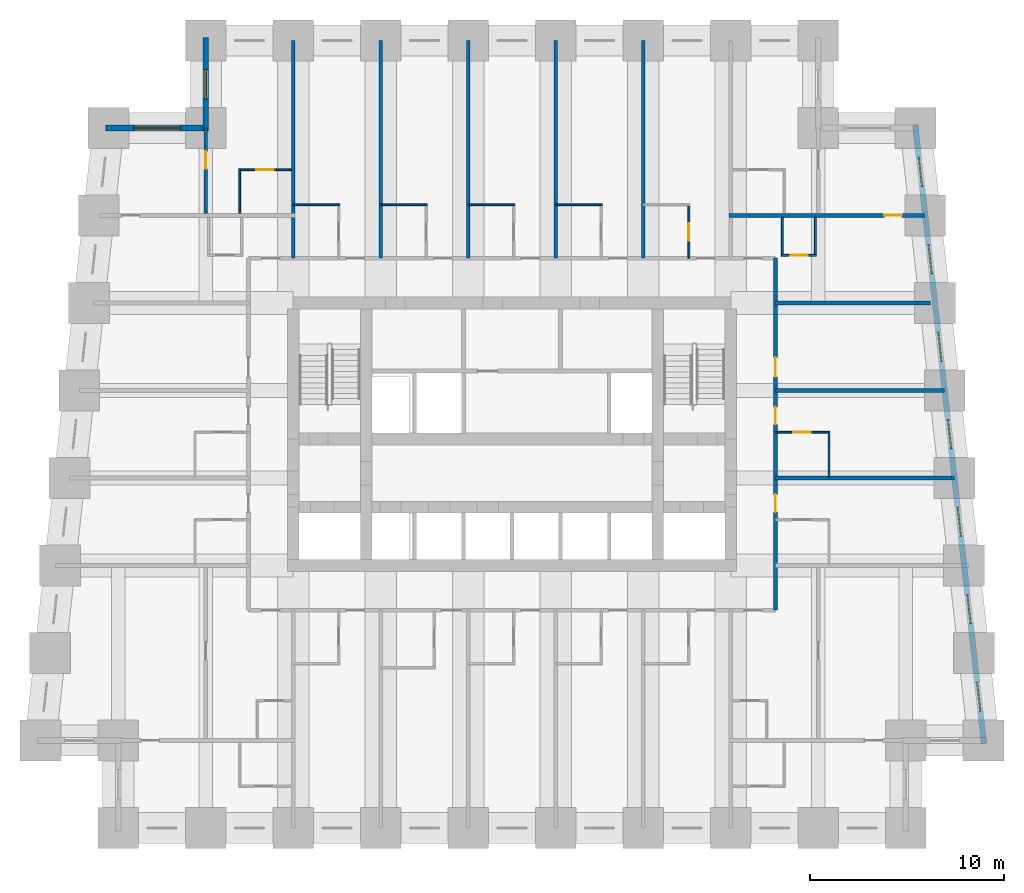
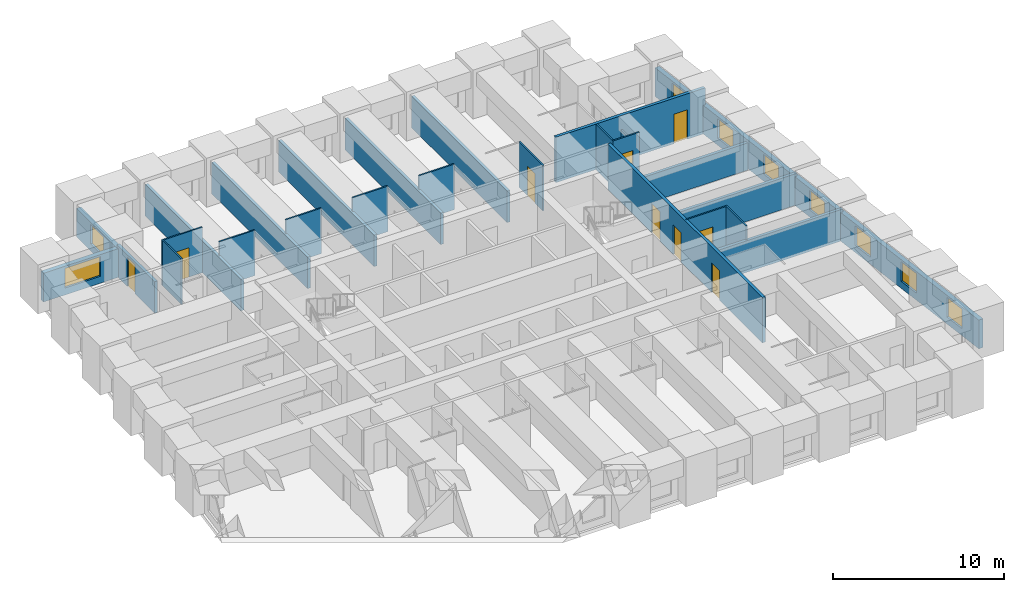
# One storey, part 6 of 8: 26 walls, 9 doors, 9 windows, 18 openings.
"""IFC4 building model written with IfcOpenShell, lengths in metres."""

from ifc_helpers import new_model, si_unit, direction, frame, frame_2d, origin, place, context, subcontext, project, spatial, rectangle, extrude, material, layer, layer_set, type_object, element, fill, save


model = new_model("IFC4")

# Units and contexts
model_context = context("Model", 3, precision=1e-05, world=origin(), true_north=direction((0.0, 1.0)))
body_context = subcontext(model_context, "Body", "Model", "MODEL_VIEW")
ifc_project = project(units=[si_unit("LENGTHUNIT", "METRE"), si_unit("AREAUNIT", "SQUARE_METRE"), si_unit("VOLUMEUNIT", "CUBIC_METRE"), si_unit("PLANEANGLEUNIT", "RADIAN"), si_unit("MASSUNIT", "GRAM", prefix="KILO")], contexts=[model_context])

# Site, building, storey
site_placement = place(None, origin())
site = spatial("IfcSite", under=ifc_project, at=site_placement, CompositionType="ELEMENT")
building_placement = place(site_placement, origin())
building = spatial("IfcBuilding", under=site, at=building_placement, Name="Kilele Tower Hotel", CompositionType="ELEMENT")
storey_placement = place(building_placement, frame((0.0, 0.0, 33.199951171875)))
storey = spatial("IfcBuildingStorey", under=building, at=storey_placement, Name="L06", CompositionType="ELEMENT", Elevation=33.199951171875)

# Wall
ifc_material_1 = material(Name="Moisture-resistant board")
ifc_layer_1 = layer(ifc_material_1, 0.10009765625)
ifc_layer_set_1 = layer_set([ifc_layer_1], Name="Moisture-resistant board")
wall_type_1 = type_object("IfcWallType", Name="Bathroom partition 100", PredefinedType="PLUMBINGWALL", material=ifc_layer_set_1)
wall_1_placement = place(storey_placement, frame((41.050048828125, 18.0, 0.0), z_axis=(0.0, 0.0, 1.0), x_axis=(0.0, 1.0, 0.0)))
element("IfcWall", 1, at=wall_1_placement, inside=storey, type_object=wall_type_1, Name="Bathroom partition 100 L06", PredefinedType="PLUMBINGWALL", context=body_context, shape_type="SweptSolid", body=[
    extrude(rectangle(XDim=2.39990234375, YDim=0.10009765625, at=frame_2d((1.199951171875, 0.0))), origin(), (0.0, 0.0, 1.0), 3.25),
])

# Wall, opening, door
wall_2_placement = place(storey_placement, frame((38.300048828125, 20.35009765625, 0.0), z_axis=(0.0, 0.0, 1.0), x_axis=(1.0, 0.0, 0.0)))
wall_2 = element("IfcWall", 2, at=wall_2_placement, inside=storey, type_object=wall_type_1, Name="Bathroom partition 100 L06", PredefinedType="PLUMBINGWALL", context=body_context, shape_type="SweptSolid", body=[
    extrude(rectangle(XDim=2.800048828125, YDim=0.10009765625, at=frame_2d((1.39990234375, 0.0))), origin(), (0.0, 0.0, 1.0), 3.25),
])
opening_1_placement = place(wall_2_placement, frame((0.89990234375, 0.0, 0.0)))
opening_1 = element("IfcOpeningElement", 3, at=opening_1_placement, cuts=wall_2, Name="Opening D2A", PredefinedType="OPENING", context=body_context, shape_type="SweptSolid", body=[
    extrude(rectangle(XDim=0.89990234375, YDim=2.10009765625, at=frame_2d((0.449951171875, 1.050048828125))), frame((0.0, 0.06005859375, 0.0), z_axis=(0.0, -1.0, 0.0), x_axis=(1.0, 0.0, 0.0)), (0.0, 0.0, 1.0), 0.1201171875),
])
ifc_material_2 = material(Name="Timber door leaf in hardwood frame", Category="wood")
door_type_1 = type_object("IfcDoorType", Name="Bathroom door 900", OperationType="SINGLE_SWING_LEFT", PredefinedType="DOOR", material=ifc_material_2)
door_1_placement = place(opening_1_placement, origin())
door_1 = element("IfcDoor", 4, at=door_1_placement, inside=storey, type_object=door_type_1, Name="Bathroom door 0607B", OperationType="SINGLE_SWING_LEFT", OverallHeight=2.10009765625, OverallWidth=0.89990234375, PredefinedType="DOOR", context=body_context, shape_type="SweptSolid", body=[
    extrude(rectangle(XDim=0.89990234375, YDim=2.10009765625, at=frame_2d((0.449951171875, 1.050048828125))), frame((0.0, 0.02490234375, 0.0), z_axis=(0.0, -1.0, 0.0), x_axis=(1.0, 0.0, 0.0)), (0.0, 0.0, 1.0), 0.050048828125),
])
fill(opening_1, door_1)

# Walls
for number, where, z_axis, x_axis, name in (
    (5, (13.5, 32.050048828125, 0.0), (0.0, 0.0, 1.0), (1.0, 0.0, 0.0), "Bathroom partition 100 L06"),
    (6, (18.0, 32.050048828125, 0.0), (0.0, 0.0, 1.0), (1.0, 0.0, 0.0), "Bathroom partition 100 L06"),
    (7, (22.5, 32.050048828125, 0.0), (0.0, 0.0, 1.0), (1.0, 0.0, 0.0), "Bathroom partition 100 L06"),
    (8, (27.0, 32.050048828125, 0.0), (0.0, 0.0, 1.0), (1.0, 0.0, 0.0), "Bathroom partition 100 L06"),
):
    element("IfcWall", number, at=place(storey_placement, frame(where, z_axis=z_axis, x_axis=x_axis)), inside=storey, type_object=wall_type_1, Name=name, PredefinedType="PLUMBINGWALL", context=body_context, shape_type="SweptSolid", body=[
        extrude(rectangle(XDim=2.39990234375, YDim=0.10009765625, at=frame_2d((1.199951171875, 0.0))), origin(), (0.0, 0.0, 1.0), 3.25),
    ])

# Wall, opening, door
wall_3_placement = place(storey_placement, frame((33.85009765625, 29.300048828125, 0.0), z_axis=(0.0, 0.0, 1.0), x_axis=(0.0, 1.0, 0.0)))
wall_3 = element("IfcWall", 9, at=wall_3_placement, inside=storey, type_object=wall_type_1, Name="Bathroom partition 100 L06", PredefinedType="PLUMBINGWALL", context=body_context, shape_type="SweptSolid", body=[
    extrude(rectangle(XDim=2.800048828125, YDim=0.10009765625, at=frame_2d((1.39990234375, 0.0))), origin(), (0.0, 0.0, 1.0), 3.25),
])
opening_2_placement = place(wall_3_placement, frame((1.7998046875, 0.0, 0.0), z_axis=(0.0, 0.0, 1.0), x_axis=(-1.0, 0.0, 0.0)))
opening_2 = element("IfcOpeningElement", 10, at=opening_2_placement, cuts=wall_3, Name="Opening D2A", PredefinedType="OPENING", context=body_context, shape_type="SweptSolid", body=[
    extrude(rectangle(XDim=0.89990234375, YDim=2.10009765625, at=frame_2d((0.449951171875, 1.050048828125))), frame((0.0, 0.06005859375, 0.0), z_axis=(0.0, -1.0, 0.0), x_axis=(1.0, 0.0, 0.0)), (0.0, 0.0, 1.0), 0.1201171875),
])
door_2_placement = place(opening_2_placement, origin())
door_2 = element("IfcDoor", 11, at=door_2_placement, inside=storey, type_object=door_type_1, Name="Bathroom door 0613B", OperationType="SINGLE_SWING_RIGHT", OverallHeight=2.10009765625, OverallWidth=0.89990234375, PredefinedType="DOOR", context=body_context, shape_type="SweptSolid", body=[
    extrude(rectangle(XDim=0.89990234375, YDim=2.10009765625, at=frame_2d((0.449951171875, 1.050048828125))), frame((0.0, 0.02490234375, 0.0), z_axis=(0.0, -1.0, 0.0), x_axis=(1.0, 0.0, 0.0)), (0.0, 0.0, 1.0), 0.050048828125),
])
fill(opening_2, door_2)

# Walls
wall_4_placement = place(storey_placement, frame((40.35009765625, 31.39990234375, 0.0), z_axis=(0.0, 0.0, 1.0), x_axis=(0.0, -1.0, 0.0)))
element("IfcWall", 12, at=wall_4_placement, inside=storey, type_object=wall_type_1, Name="Bathroom partition 100 L06", PredefinedType="PLUMBINGWALL", context=body_context, shape_type="SweptSolid", body=[
    extrude(rectangle(XDim=2.0, YDim=0.10009765625, at=frame_2d((1.0, 0.0))), origin(), (0.0, 0.0, 1.0), 2.25),
])
wall_5_placement = place(storey_placement, frame((38.64990234375, 31.39990234375, 0.0), z_axis=(0.0, 0.0, 1.0), x_axis=(0.0, -1.0, 0.0)))
element("IfcWall", 13, at=wall_5_placement, inside=storey, type_object=wall_type_1, Name="Bathroom partition 100 L06", PredefinedType="PLUMBINGWALL", context=body_context, shape_type="SweptSolid", body=[
    extrude(rectangle(XDim=2.0, YDim=0.10009765625, at=frame_2d((1.0, 0.0))), origin(), (0.0, 0.0, 1.0), 3.25),
])

# Wall, opening, door
wall_6_placement = place(storey_placement, frame((38.60009765625, 29.449951171875, 0.0), z_axis=(0.0, 0.0, 1.0), x_axis=(1.0, 0.0, 0.0)))
wall_6 = element("IfcWall", 14, at=wall_6_placement, inside=storey, type_object=wall_type_1, Name="Bathroom partition 100 L06", PredefinedType="PLUMBINGWALL", context=body_context, shape_type="SweptSolid", body=[
    extrude(rectangle(XDim=1.7998046875, YDim=0.10009765625, at=frame_2d((0.89990234375, 0.0))), origin(), (0.0, 0.0, 1.0), 3.25),
])
opening_3_placement = place(wall_6_placement, frame((1.349853515625, 0.0, 0.0), z_axis=(0.0, 0.0, 1.0), x_axis=(-1.0, 0.0, 0.0)))
opening_3 = element("IfcOpeningElement", 15, at=opening_3_placement, cuts=wall_6, Name="Opening D2A", PredefinedType="OPENING", context=body_context, shape_type="SweptSolid", body=[
    extrude(rectangle(XDim=0.89990234375, YDim=2.10009765625, at=frame_2d((0.449951171875, 1.050048828125))), frame((0.0, 0.06005859375, 0.0), z_axis=(0.0, -1.0, 0.0), x_axis=(1.0, 0.0, 0.0)), (0.0, 0.0, 1.0), 0.1201171875),
])
door_3_placement = place(opening_3_placement, origin())
door_3 = element("IfcDoor", 16, at=door_3_placement, inside=storey, type_object=door_type_1, Name="Bathroom door 0623P", OperationType="SINGLE_SWING_RIGHT", OverallHeight=2.10009765625, OverallWidth=0.89990234375, PredefinedType="DOOR", context=body_context, shape_type="SweptSolid", body=[
    extrude(rectangle(XDim=0.89990234375, YDim=2.10009765625, at=frame_2d((0.449951171875, 1.050048828125))), frame((0.0, 0.02490234375, 0.0), z_axis=(0.0, -1.0, 0.0), x_axis=(1.0, 0.0, 0.0)), (0.0, 0.0, 1.0), 0.050048828125),
])
fill(opening_3, door_3)

# Wall
wall_7_placement = place(storey_placement, frame((10.75, 31.60009765625, 0.0), z_axis=(0.0, 0.0, 1.0), x_axis=(0.0, 1.0, 0.0)))
element("IfcWall", 17, at=wall_7_placement, inside=storey, type_object=wall_type_1, Name="Bathroom partition 100 L06", PredefinedType="PLUMBINGWALL", context=body_context, shape_type="SweptSolid", body=[
    extrude(rectangle(XDim=2.2998046875, YDim=0.10009765625, at=frame_2d((1.14990234375, 0.0))), origin(), (0.0, 0.0, 1.0), 3.25),
])

# Wall, opening, door
wall_8_placement = place(storey_placement, frame((13.39990234375, 33.85009765625, 0.0), z_axis=(0.0, 0.0, 1.0), x_axis=(-1.0, 0.0, 0.0)))
wall_8 = element("IfcWall", 18, at=wall_8_placement, inside=storey, type_object=wall_type_1, Name="Bathroom partition 100 L06", PredefinedType="PLUMBINGWALL", context=body_context, shape_type="SweptSolid", body=[
    extrude(rectangle(XDim=2.699951171875, YDim=0.10009765625, at=frame_2d((1.35009765625, 0.0))), origin(), (0.0, 0.0, 1.0), 3.25),
])
opening_4_placement = place(wall_8_placement, frame((1.7998046875, 0.0, 0.0), z_axis=(0.0, 0.0, 1.0), x_axis=(-1.0, 0.0, 0.0)))
opening_4 = element("IfcOpeningElement", 19, at=opening_4_placement, cuts=wall_8, Name="Opening D2A", PredefinedType="OPENING", context=body_context, shape_type="SweptSolid", body=[
    extrude(rectangle(XDim=0.89990234375, YDim=2.10009765625, at=frame_2d((0.449951171875, 1.050048828125))), frame((0.0, 0.06005859375, 0.0), z_axis=(0.0, -1.0, 0.0), x_axis=(1.0, 0.0, 0.0)), (0.0, 0.0, 1.0), 0.1201171875),
])
door_4_placement = place(opening_4_placement, origin())
door_4 = element("IfcDoor", 20, at=door_4_placement, inside=storey, type_object=door_type_1, Name="Bathroom door 0627B", OperationType="SINGLE_SWING_RIGHT", OverallHeight=2.10009765625, OverallWidth=0.89990234375, PredefinedType="DOOR", context=body_context, shape_type="SweptSolid", body=[
    extrude(rectangle(XDim=0.89990234375, YDim=2.10009765625, at=frame_2d((0.449951171875, 1.050048828125))), frame((0.0, 0.02490234375, 0.0), z_axis=(0.0, -1.0, 0.0), x_axis=(1.0, 0.0, 0.0)), (0.0, 0.0, 1.0), 0.050048828125),
])
fill(opening_4, door_4)

# Wall, openings, doors
ifc_material_3 = material(Name="Blockwork, plastered both sides", Category="masonry")
ifc_layer_2 = layer(ifc_material_3, 0.199951171875)
ifc_layer_set_2 = layer_set([ifc_layer_2], Name="Blockwork, plastered both sides")
wall_type_2 = type_object("IfcWallType", Name="Corridor wall 200", PredefinedType="PARTITIONING", material=ifc_layer_set_2)
wall_9_placement = place(storey_placement, frame((38.300048828125, 11.199951171875, 0.0), z_axis=(0.0, 0.0, 1.0), x_axis=(0.0, 1.0, 0.0)))
wall_9 = element("IfcWall", 21, at=wall_9_placement, inside=storey, type_object=wall_type_2, Name="Corridor wall 200 L06", PredefinedType="PARTITIONING", context=body_context, shape_type="SweptSolid", body=[
    extrude(rectangle(XDim=18.10009765625, YDim=0.199951171875, at=frame_2d((9.050048828125, 0.0))), origin(), (0.0, 0.0, 1.0), 3.25),
])
opening_5_placement = place(wall_9_placement, frame((5.949951171875, 0.0, 0.0), z_axis=(0.0, 0.0, 1.0), x_axis=(-1.0, 0.0, 0.0)))
opening_5 = element("IfcOpeningElement", 22, at=opening_5_placement, cuts=wall_9, Name="Opening D1", PredefinedType="OPENING", context=body_context, shape_type="SweptSolid", body=[
    extrude(rectangle(XDim=0.89990234375, YDim=2.10009765625, at=frame_2d((0.449951171875, 1.050048828125))), frame((0.0, 0.10986328125, 0.0), z_axis=(0.0, -1.0, 0.0), x_axis=(1.0, 0.0, 0.0)), (0.0, 0.0, 1.0), 0.219970703125),
])
opening_6_placement = place(wall_9_placement, frame((10.449951171875, 0.0, 0.0), z_axis=(0.0, 0.0, 1.0), x_axis=(-1.0, 0.0, 0.0)))
opening_6 = element("IfcOpeningElement", 23, at=opening_6_placement, cuts=wall_9, Name="Opening D1", PredefinedType="OPENING", context=body_context, shape_type="SweptSolid", body=[
    extrude(rectangle(XDim=0.89990234375, YDim=2.10009765625, at=frame_2d((0.449951171875, 1.050048828125))), frame((0.0, 0.10986328125, 0.0), z_axis=(0.0, -1.0, 0.0), x_axis=(1.0, 0.0, 0.0)), (0.0, 0.0, 1.0), 0.219970703125),
])
opening_7_placement = place(wall_9_placement, frame((13.0, 0.0, 0.0), z_axis=(0.0, 0.0, 1.0), x_axis=(-1.0, 0.0, 0.0)))
opening_7 = element("IfcOpeningElement", 24, at=opening_7_placement, cuts=wall_9, Name="Opening D8", PredefinedType="OPENING", context=body_context, shape_type="SweptSolid", body=[
    extrude(rectangle(XDim=1.0, YDim=2.10009765625, at=frame_2d((0.5, 1.050048828125))), frame((0.0, 0.10986328125, 0.0), z_axis=(0.0, -1.0, 0.0), x_axis=(1.0, 0.0, 0.0)), (0.0, 0.0, 1.0), 0.219970703125),
])
ifc_material_4 = material(Name="Timber door leaf in hardwood frame", Category="wood")
door_type_2 = type_object("IfcDoorType", Name="Door 1000", OperationType="SINGLE_SWING_LEFT", PredefinedType="DOOR", material=ifc_material_4)
door_5_placement = place(opening_7_placement, origin())
door_5 = element("IfcDoor", 25, at=door_5_placement, inside=storey, type_object=door_type_2, Name="Room entrance 0608", OperationType="SINGLE_SWING_RIGHT", OverallHeight=2.10009765625, OverallWidth=1.0, PredefinedType="DOOR", context=body_context, shape_type="SweptSolid", body=[
    extrude(rectangle(XDim=1.0, YDim=2.10009765625, at=frame_2d((0.5, 1.050048828125))), frame((0.0, 0.02490234375, 0.0), z_axis=(0.0, -1.0, 0.0), x_axis=(1.0, 0.0, 0.0)), (0.0, 0.0, 1.0), 0.050048828125),
])
fill(opening_7, door_5)
ifc_material_5 = material(Name="Timber door leaf in hardwood frame", Category="wood")
door_type_3 = type_object("IfcDoorType", Name="Guest room entrance door 900", OperationType="SINGLE_SWING_LEFT", PredefinedType="DOOR", material=ifc_material_5)
door_6_placement = place(opening_5_placement, origin())
door_6 = element("IfcDoor", 26, at=door_6_placement, inside=storey, type_object=door_type_3, Name="Room entrance 0606", OperationType="SINGLE_SWING_RIGHT", OverallHeight=2.10009765625, OverallWidth=0.89990234375, PredefinedType="DOOR", context=body_context, shape_type="SweptSolid", body=[
    extrude(rectangle(XDim=0.89990234375, YDim=2.10009765625, at=frame_2d((0.449951171875, 1.050048828125))), frame((0.0, 0.02490234375, 0.0), z_axis=(0.0, -1.0, 0.0), x_axis=(1.0, 0.0, 0.0)), (0.0, 0.0, 1.0), 0.050048828125),
])
fill(opening_5, door_6)
door_7_placement = place(opening_6_placement, origin())
door_7 = element("IfcDoor", 27, at=door_7_placement, inside=storey, type_object=door_type_3, Name="Room entrance 0607", OperationType="SINGLE_SWING_RIGHT", OverallHeight=2.10009765625, OverallWidth=0.89990234375, PredefinedType="DOOR", context=body_context, shape_type="SweptSolid", body=[
    extrude(rectangle(XDim=0.89990234375, YDim=2.10009765625, at=frame_2d((0.449951171875, 1.050048828125))), frame((0.0, 0.02490234375, 0.0), z_axis=(0.0, -1.0, 0.0), x_axis=(1.0, 0.0, 0.0)), (0.0, 0.0, 1.0), 0.050048828125),
])
fill(opening_6, door_7)

# Wall, opening, door
ifc_material_6 = material(Name="Blockwork, plastered both sides", Category="masonry")
ifc_layer_3 = layer(ifc_material_6, 0.199951171875)
ifc_layer_set_3 = layer_set([ifc_layer_3], Name="Blockwork, plastered both sides")
wall_type_3 = type_object("IfcWallType", Name="Partition wall 200", PredefinedType="PARTITIONING", material=ifc_layer_set_3)
wall_10_placement = place(storey_placement, frame((9.0, 31.60009765625, 0.0), z_axis=(0.0, 0.0, 1.0), x_axis=(0.0, 1.0, 0.0)))
wall_10 = element("IfcWall", 28, at=wall_10_placement, inside=storey, type_object=wall_type_3, Name="Partition wall 200 L06", PredefinedType="PARTITIONING", context=body_context, shape_type="SweptSolid", body=[
    extrude(rectangle(XDim=4.39990234375, YDim=0.199951171875, at=frame_2d((2.199951171875, 0.0))), origin(), (0.0, 0.0, 1.0), 2.25),
])
opening_8_placement = place(wall_10_placement, frame((2.300048828125, 0.0, 0.0)))
opening_8 = element("IfcOpeningElement", 29, at=opening_8_placement, cuts=wall_10, Name="Opening D3", PredefinedType="OPENING", context=body_context, shape_type="SweptSolid", body=[
    extrude(rectangle(XDim=0.89990234375, YDim=2.10009765625, at=frame_2d((0.449951171875, 1.050048828125))), frame((0.0, 0.10986328125, 0.0), z_axis=(0.0, -1.0, 0.0), x_axis=(1.0, 0.0, 0.0)), (0.0, 0.0, 1.0), 0.219970703125),
])
ifc_material_7 = material(Name="Timber door leaf in hardwood frame", Category="wood")
door_type_4 = type_object("IfcDoorType", Name="Suite internal door 900", OperationType="SINGLE_SWING_LEFT", PredefinedType="DOOR", material=ifc_material_7)
door_8_placement = place(opening_8_placement, origin())
door_8 = element("IfcDoor", 30, at=door_8_placement, inside=storey, type_object=door_type_4, Name="Suite door 0628", OperationType="SINGLE_SWING_RIGHT", OverallHeight=2.10009765625, OverallWidth=0.89990234375, PredefinedType="DOOR", context=body_context, shape_type="SweptSolid", body=[
    extrude(rectangle(XDim=0.89990234375, YDim=2.10009765625, at=frame_2d((0.449951171875, 1.050048828125))), frame((0.0, 0.02490234375, 0.0), z_axis=(0.0, -1.0, 0.0), x_axis=(1.0, 0.0, 0.0)), (0.0, 0.0, 1.0), 0.050048828125),
])
fill(opening_8, door_8)

# Walls
ifc_material_8 = material(Name="Blockwork, plastered both sides", Category="masonry")
ifc_layer_4 = layer(ifc_material_8, 0.199951171875)
ifc_layer_set_4 = layer_set([ifc_layer_4], Name="Blockwork, plastered both sides")
wall_type_4 = type_object("IfcWallType", Name="Party wall 200", PredefinedType="PARTITIONING", material=ifc_layer_set_4)
wall_11_placement = place(storey_placement, frame((38.300048828125, 18.0, 0.0), z_axis=(0.0, 0.0, 1.0), x_axis=(1.0, 0.0, 0.0)))
element("IfcWall", 31, at=wall_11_placement, inside=storey, type_object=wall_type_4, Name="Party wall 200 L06", PredefinedType="PARTITIONING", context=body_context, shape_type="SweptSolid", body=[
    extrude(rectangle(XDim=9.198974609375, YDim=0.199951171875, at=frame_2d((4.599609375, 0.0))), origin(), (0.0, 0.0, 1.0), 2.25),
])
wall_12_placement = place(storey_placement, frame((38.300048828125, 22.5, 0.0), z_axis=(0.0, 0.0, 1.0), x_axis=(1.0, 0.0, 0.0)))
element("IfcWall", 32, at=wall_12_placement, inside=storey, type_object=wall_type_4, Name="Party wall 200 L06", PredefinedType="PARTITIONING", context=body_context, shape_type="SweptSolid", body=[
    extrude(rectangle(XDim=8.698974609375, YDim=0.199951171875, at=frame_2d((4.349609375, 0.0))), origin(), (0.0, 0.0, 1.0), 2.25),
])
for number, where, z_axis, x_axis, name in (
    (33, (18.0, 29.300048828125, 0.0), (0.0, 0.0, 1.0), (0.0, 1.0, 0.0), "Party wall 200 L06"),
    (34, (22.5, 29.300048828125, 0.0), (0.0, 0.0, 1.0), (0.0, 1.0, 0.0), "Party wall 200 L06"),
    (35, (27.0, 29.300048828125, 0.0), (0.0, 0.0, 1.0), (0.0, 1.0, 0.0), "Party wall 200 L06"),
    (36, (31.5, 29.300048828125, 0.0), (0.0, 0.0, 1.0), (0.0, 1.0, 0.0), "Party wall 200 L06"),
):
    element("IfcWall", number, at=place(storey_placement, frame(where, z_axis=z_axis, x_axis=x_axis)), inside=storey, type_object=wall_type_4, Name=name, PredefinedType="PARTITIONING", context=body_context, shape_type="SweptSolid", body=[
        extrude(rectangle(XDim=11.199951171875, YDim=0.199951171875, at=frame_2d((5.60009765625, 0.0))), origin(), (0.0, 0.0, 1.0), 2.25),
    ])
wall_13_placement = place(storey_placement, frame((38.300048828125, 27.0, 0.0), z_axis=(0.0, 0.0, 1.0), x_axis=(1.0, 0.0, 0.0)))
element("IfcWall", 37, at=wall_13_placement, inside=storey, type_object=wall_type_4, Name="Party wall 200 L06", PredefinedType="PARTITIONING", context=body_context, shape_type="SweptSolid", body=[
    extrude(rectangle(XDim=7.976806640625, YDim=0.199951171875, at=frame_2d((3.98828125, 0.0))), origin(), (0.0, 0.0, 1.0), 1.949951171875),
])

# Wall, opening, door
wall_14_placement = place(storey_placement, frame((35.89990234375, 31.5, 0.0), z_axis=(0.0, 0.0, 1.0), x_axis=(1.0, 0.0, 0.0)))
wall_14 = element("IfcWall", 38, at=wall_14_placement, inside=storey, type_object=wall_type_4, Name="Party wall 200 L06", PredefinedType="PARTITIONING", context=body_context, shape_type="SweptSolid", body=[
    extrude(rectangle(XDim=10.09912109375, YDim=0.199951171875, at=frame_2d((5.049560546875, 0.0))), origin(), (0.0, 0.0, 1.0), 3.25),
])
opening_9_placement = place(wall_14_placement, frame((7.9990234375, 0.0, 0.0)))
opening_9 = element("IfcOpeningElement", 39, at=opening_9_placement, cuts=wall_14, Name="Opening D3", PredefinedType="OPENING", context=body_context, shape_type="SweptSolid", body=[
    extrude(rectangle(XDim=0.89990234375, YDim=2.10009765625, at=frame_2d((0.449951171875, 1.050048828125))), frame((0.0, 0.10986328125, 0.0), z_axis=(0.0, -1.0, 0.0), x_axis=(1.0, 0.0, 0.0)), (0.0, 0.0, 1.0), 0.219970703125),
])
door_9_placement = place(opening_9_placement, origin())
door_9 = element("IfcDoor", 40, at=door_9_placement, inside=storey, type_object=door_type_4, Name="Suite door 0624", OperationType="SINGLE_SWING_RIGHT", OverallHeight=2.10009765625, OverallWidth=0.89990234375, PredefinedType="DOOR", context=body_context, shape_type="SweptSolid", body=[
    extrude(rectangle(XDim=0.89990234375, YDim=2.10009765625, at=frame_2d((0.449951171875, 1.050048828125))), frame((0.0, 0.02490234375, 0.0), z_axis=(0.0, -1.0, 0.0), x_axis=(1.0, 0.0, 0.0)), (0.0, 0.0, 1.0), 0.050048828125),
])
fill(opening_9, door_9)

# Wall
wall_15_placement = place(storey_placement, frame((13.5, 29.300048828125, 0.0), z_axis=(0.0, 0.0, 1.0), x_axis=(0.0, 1.0, 0.0)))
element("IfcWall", 41, at=wall_15_placement, inside=storey, type_object=wall_type_4, Name="Party wall 200 L06", PredefinedType="PARTITIONING", context=body_context, shape_type="SweptSolid", body=[
    extrude(rectangle(XDim=11.199951171875, YDim=0.199951171875, at=frame_2d((5.60009765625, 0.0))), origin(), (0.0, 0.0, 1.0), 2.25),
])

# Wall, openings, windows
ifc_material_9 = material(Name="Concrete C40/50 precast", Category="concrete")
ifc_layer_5 = layer(ifc_material_9, 0.260009765625, Name="Precast backing", Category="LoadBearing")
ifc_material_10 = material(Name="Reconstituted stone finish", Category="masonry")
ifc_layer_6 = layer(ifc_material_10, 0.0400390625, Name="Face mix", Category="Finish")
ifc_layer_set_5 = layer_set([ifc_layer_5, ifc_layer_6], Name="Precast concrete C40/50, reconstituted stone finish")
wall_type_5 = type_object("IfcWallType", Name="Precast stone facade wall 300", PredefinedType="STANDARD", material=ifc_layer_set_5)
wall_16_placement = place(storey_placement, frame((49.0166015625, 4.350830078125, 0.0), z_axis=(0.0, 0.0, 1.0), x_axis=(-0.110433201132, 0.993883548555, 0.0)))
wall_16 = element("IfcWall", 42, at=wall_16_placement, inside=storey, type_object=wall_type_5, Name="Facade wall L06 edge 6", PredefinedType="STANDARD", context=body_context, shape_type="SweptSolid", body=[
    extrude(rectangle(XDim=31.994140625, YDim=0.300048828125, at=frame_2d((15.9970703125, 0.0))), origin(), (0.0, 0.0, 1.0), 2.050048828125),
])
opening_10_placement = place(wall_16_placement, frame((1.6640625, 0.0, 0.5)))
opening_10 = element("IfcOpeningElement", 43, at=opening_10_placement, cuts=wall_16, Name="Opening W1", PredefinedType="OPENING", context=body_context, shape_type="SweptSolid", body=[
    extrude(rectangle(XDim=1.5, YDim=1.39990234375, at=frame_2d((0.75, 0.699951171875))), frame((0.0, 0.159912109375, 0.0), z_axis=(0.0, -1.0, 0.0), x_axis=(1.0, 0.0, 0.0)), (0.0, 0.0, 1.0), 0.320068359375),
])
opening_11_placement = place(wall_16_placement, frame((6.19189453125, 0.0, 0.5)))
opening_11 = element("IfcOpeningElement", 44, at=opening_11_placement, cuts=wall_16, Name="Opening W1", PredefinedType="OPENING", context=body_context, shape_type="SweptSolid", body=[
    extrude(rectangle(XDim=1.5, YDim=1.39990234375, at=frame_2d((0.75, 0.699951171875))), frame((0.0, 0.159912109375, 0.0), z_axis=(0.0, -1.0, 0.0), x_axis=(1.0, 0.0, 0.0)), (0.0, 0.0, 1.0), 0.320068359375),
])
opening_12_placement = place(wall_16_placement, frame((10.718994140625, 0.0, 0.5)))
opening_12 = element("IfcOpeningElement", 45, at=opening_12_placement, cuts=wall_16, Name="Opening W1", PredefinedType="OPENING", context=body_context, shape_type="SweptSolid", body=[
    extrude(rectangle(XDim=1.5, YDim=1.39990234375, at=frame_2d((0.75, 0.699951171875))), frame((0.0, 0.159912109375, 0.0), z_axis=(0.0, -1.0, 0.0), x_axis=(1.0, 0.0, 0.0)), (0.0, 0.0, 1.0), 0.320068359375),
])
opening_13_placement = place(wall_16_placement, frame((15.2470703125, 0.0, 0.5)))
opening_13 = element("IfcOpeningElement", 46, at=opening_13_placement, cuts=wall_16, Name="Opening W1", PredefinedType="OPENING", context=body_context, shape_type="SweptSolid", body=[
    extrude(rectangle(XDim=1.5, YDim=1.39990234375, at=frame_2d((0.75, 0.699951171875))), frame((0.0, 0.159912109375, 0.0), z_axis=(0.0, -1.0, 0.0), x_axis=(1.0, 0.0, 0.0)), (0.0, 0.0, 1.0), 0.320068359375),
])
opening_14_placement = place(wall_16_placement, frame((19.77490234375, 0.0, 0.5)))
opening_14 = element("IfcOpeningElement", 47, at=opening_14_placement, cuts=wall_16, Name="Opening W1", PredefinedType="OPENING", context=body_context, shape_type="SweptSolid", body=[
    extrude(rectangle(XDim=1.5, YDim=1.39990234375, at=frame_2d((0.75, 0.699951171875))), frame((0.0, 0.159912109375, 0.0), z_axis=(0.0, -1.0, 0.0), x_axis=(1.0, 0.0, 0.0)), (0.0, 0.0, 1.0), 0.320068359375),
])
opening_15_placement = place(wall_16_placement, frame((24.302001953125, 0.0, 0.5)))
opening_15 = element("IfcOpeningElement", 48, at=opening_15_placement, cuts=wall_16, Name="Opening W1", PredefinedType="OPENING", context=body_context, shape_type="SweptSolid", body=[
    extrude(rectangle(XDim=1.5, YDim=1.39990234375, at=frame_2d((0.75, 0.699951171875))), frame((0.0, 0.159912109375, 0.0), z_axis=(0.0, -1.0, 0.0), x_axis=(1.0, 0.0, 0.0)), (0.0, 0.0, 1.0), 0.320068359375),
])
opening_16_placement = place(wall_16_placement, frame((28.830078125, 0.0, 0.5)))
opening_16 = element("IfcOpeningElement", 49, at=opening_16_placement, cuts=wall_16, Name="Opening W1", PredefinedType="OPENING", context=body_context, shape_type="SweptSolid", body=[
    extrude(rectangle(XDim=1.5, YDim=1.39990234375, at=frame_2d((0.75, 0.699951171875))), frame((0.0, 0.159912109375, 0.0), z_axis=(0.0, -1.0, 0.0), x_axis=(1.0, 0.0, 0.0)), (0.0, 0.0, 1.0), 0.320068359375),
])
ifc_material_11 = material(Name="Aluminium frame, clear double glazing", Category="aluminium")
window_type_1 = type_object("IfcWindowType", Name="Window W1 1500 x 1400", PartitioningType="SINGLE_PANEL", PredefinedType="WINDOW", material=ifc_material_11)
window_1_placement = place(opening_10_placement, origin())
window_1 = element("IfcWindow", 50, at=window_1_placement, inside=storey, type_object=window_type_1, Name="Window L06", OverallHeight=1.39990234375, OverallWidth=1.5, PartitioningType="SINGLE_PANEL", PredefinedType="WINDOW", context=body_context, shape_type="SweptSolid", body=[
    extrude(rectangle(XDim=1.5, YDim=1.39990234375, at=frame_2d((0.75, 0.699951171875))), frame((0.0, 0.030029296875, 0.0), z_axis=(0.0, -1.0, 0.0), x_axis=(1.0, 0.0, 0.0)), (0.0, 0.0, 1.0), 0.06005859375),
])
fill(opening_10, window_1)
window_2_placement = place(opening_11_placement, origin())
window_2 = element("IfcWindow", 51, at=window_2_placement, inside=storey, type_object=window_type_1, Name="Window L06", OverallHeight=1.39990234375, OverallWidth=1.5, PartitioningType="SINGLE_PANEL", PredefinedType="WINDOW", context=body_context, shape_type="SweptSolid", body=[
    extrude(rectangle(XDim=1.5, YDim=1.39990234375, at=frame_2d((0.75, 0.699951171875))), frame((0.0, 0.030029296875, 0.0), z_axis=(0.0, -1.0, 0.0), x_axis=(1.0, 0.0, 0.0)), (0.0, 0.0, 1.0), 0.06005859375),
])
fill(opening_11, window_2)
window_3_placement = place(opening_12_placement, origin())
window_3 = element("IfcWindow", 52, at=window_3_placement, inside=storey, type_object=window_type_1, Name="Window L06", OverallHeight=1.39990234375, OverallWidth=1.5, PartitioningType="SINGLE_PANEL", PredefinedType="WINDOW", context=body_context, shape_type="SweptSolid", body=[
    extrude(rectangle(XDim=1.5, YDim=1.39990234375, at=frame_2d((0.75, 0.699951171875))), frame((0.0, 0.030029296875, 0.0), z_axis=(0.0, -1.0, 0.0), x_axis=(1.0, 0.0, 0.0)), (0.0, 0.0, 1.0), 0.06005859375),
])
fill(opening_12, window_3)
window_4_placement = place(opening_13_placement, origin())
window_4 = element("IfcWindow", 53, at=window_4_placement, inside=storey, type_object=window_type_1, Name="Window L06", OverallHeight=1.39990234375, OverallWidth=1.5, PartitioningType="SINGLE_PANEL", PredefinedType="WINDOW", context=body_context, shape_type="SweptSolid", body=[
    extrude(rectangle(XDim=1.5, YDim=1.39990234375, at=frame_2d((0.75, 0.699951171875))), frame((0.0, 0.030029296875, 0.0), z_axis=(0.0, -1.0, 0.0), x_axis=(1.0, 0.0, 0.0)), (0.0, 0.0, 1.0), 0.06005859375),
])
fill(opening_13, window_4)
window_5_placement = place(opening_14_placement, origin())
window_5 = element("IfcWindow", 54, at=window_5_placement, inside=storey, type_object=window_type_1, Name="Window L06", OverallHeight=1.39990234375, OverallWidth=1.5, PartitioningType="SINGLE_PANEL", PredefinedType="WINDOW", context=body_context, shape_type="SweptSolid", body=[
    extrude(rectangle(XDim=1.5, YDim=1.39990234375, at=frame_2d((0.75, 0.699951171875))), frame((0.0, 0.030029296875, 0.0), z_axis=(0.0, -1.0, 0.0), x_axis=(1.0, 0.0, 0.0)), (0.0, 0.0, 1.0), 0.06005859375),
])
fill(opening_14, window_5)
window_6_placement = place(opening_15_placement, origin())
window_6 = element("IfcWindow", 55, at=window_6_placement, inside=storey, type_object=window_type_1, Name="Window L06", OverallHeight=1.39990234375, OverallWidth=1.5, PartitioningType="SINGLE_PANEL", PredefinedType="WINDOW", context=body_context, shape_type="SweptSolid", body=[
    extrude(rectangle(XDim=1.5, YDim=1.39990234375, at=frame_2d((0.75, 0.699951171875))), frame((0.0, 0.030029296875, 0.0), z_axis=(0.0, -1.0, 0.0), x_axis=(1.0, 0.0, 0.0)), (0.0, 0.0, 1.0), 0.06005859375),
])
fill(opening_15, window_6)
window_7_placement = place(opening_16_placement, origin())
window_7 = element("IfcWindow", 56, at=window_7_placement, inside=storey, type_object=window_type_1, Name="Window L06", OverallHeight=1.39990234375, OverallWidth=1.5, PartitioningType="SINGLE_PANEL", PredefinedType="WINDOW", context=body_context, shape_type="SweptSolid", body=[
    extrude(rectangle(XDim=1.5, YDim=1.39990234375, at=frame_2d((0.75, 0.699951171875))), frame((0.0, 0.030029296875, 0.0), z_axis=(0.0, -1.0, 0.0), x_axis=(1.0, 0.0, 0.0)), (0.0, 0.0, 1.0), 0.06005859375),
])
fill(opening_16, window_7)

# Wall, opening, window
wall_17_placement = place(storey_placement, frame((9.0, 40.64990234375, 0.0), z_axis=(0.0, 0.0, 1.0), x_axis=(0.0, -1.0, 0.0)))
wall_17 = element("IfcWall", 57, at=wall_17_placement, inside=storey, type_object=wall_type_5, Name="Facade wall L06 edge 10", PredefinedType="STANDARD", context=body_context, shape_type="SweptSolid", body=[
    extrude(rectangle(XDim=4.7998046875, YDim=0.300048828125, at=frame_2d((2.39990234375, 0.0))), origin(), (0.0, 0.0, 1.0), 2.050048828125),
])
opening_17_placement = place(wall_17_placement, frame((1.64990234375, 0.0, 0.5)))
opening_17 = element("IfcOpeningElement", 58, at=opening_17_placement, cuts=wall_17, Name="Opening W1", PredefinedType="OPENING", context=body_context, shape_type="SweptSolid", body=[
    extrude(rectangle(XDim=1.5, YDim=1.39990234375, at=frame_2d((0.75, 0.699951171875))), frame((0.0, 0.159912109375, 0.0), z_axis=(0.0, -1.0, 0.0), x_axis=(1.0, 0.0, 0.0)), (0.0, 0.0, 1.0), 0.320068359375),
])
window_8_placement = place(opening_17_placement, origin())
window_8 = element("IfcWindow", 59, at=window_8_placement, inside=storey, type_object=window_type_1, Name="Window L06", OverallHeight=1.39990234375, OverallWidth=1.5, PartitioningType="SINGLE_PANEL", PredefinedType="WINDOW", context=body_context, shape_type="SweptSolid", body=[
    extrude(rectangle(XDim=1.5, YDim=1.39990234375, at=frame_2d((0.75, 0.699951171875))), frame((0.0, 0.030029296875, 0.0), z_axis=(0.0, -1.0, 0.0), x_axis=(1.0, 0.0, 0.0)), (0.0, 0.0, 1.0), 0.06005859375),
])
fill(opening_17, window_8)

wall_18_placement = place(storey_placement, frame((9.14990234375, 36.0, 0.0), z_axis=(0.0, 0.0, 1.0), x_axis=(-1.0, 0.0, 0.0)))
wall_18 = element("IfcWall", 60, at=wall_18_placement, inside=storey, type_object=wall_type_5, Name="Facade wall L06 edge 11", PredefinedType="STANDARD", context=body_context, shape_type="SweptSolid", body=[
    extrude(rectangle(XDim=5.2998046875, YDim=0.300048828125, at=frame_2d((2.64990234375, 0.0))), origin(), (0.0, 0.0, 1.0), 2.050048828125),
])
opening_18_placement = place(wall_18_placement, frame((1.449951171875, 0.0, 0.5)))
opening_18 = element("IfcOpeningElement", 61, at=opening_18_placement, cuts=wall_18, Name="Opening W1", PredefinedType="OPENING", context=body_context, shape_type="SweptSolid", body=[
    extrude(rectangle(XDim=2.39990234375, YDim=1.39990234375, at=frame_2d((1.199951171875, 0.699951171875))), frame((0.0, 0.159912109375, 0.0), z_axis=(0.0, -1.0, 0.0), x_axis=(1.0, 0.0, 0.0)), (0.0, 0.0, 1.0), 0.320068359375),
])
ifc_material_12 = material(Name="Aluminium frame, clear double glazing", Category="aluminium")
window_type_2 = type_object("IfcWindowType", Name="Window W1 2400 x 1400", PartitioningType="SINGLE_PANEL", PredefinedType="WINDOW", material=ifc_material_12)
window_9_placement = place(opening_18_placement, origin())
window_9 = element("IfcWindow", 62, at=window_9_placement, inside=storey, type_object=window_type_2, Name="Window L06", OverallHeight=1.39990234375, OverallWidth=2.39990234375, PartitioningType="SINGLE_PANEL", PredefinedType="WINDOW", context=body_context, shape_type="SweptSolid", body=[
    extrude(rectangle(XDim=2.39990234375, YDim=1.39990234375, at=frame_2d((1.199951171875, 0.699951171875))), frame((0.0, 0.030029296875, 0.0), z_axis=(0.0, -1.0, 0.0), x_axis=(1.0, 0.0, 0.0)), (0.0, 0.0, 1.0), 0.06005859375),
])
fill(opening_18, window_9)

save(model, "model.ifc")
